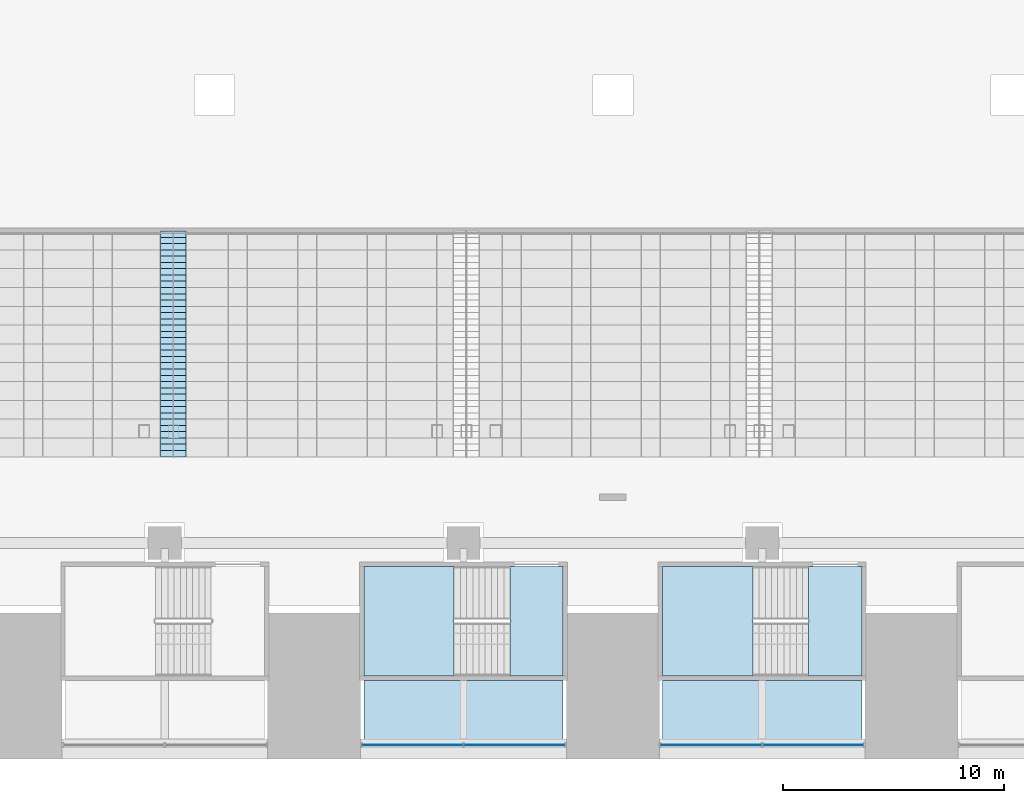
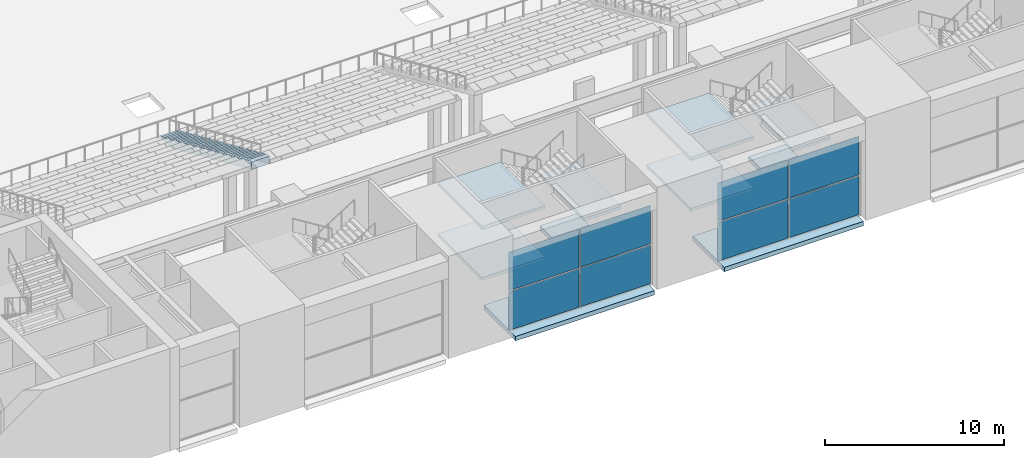
# One storey, part 15 of 62: 11 slabs, 8 plates, 4 elements without a shape of their own.
"""IFC4 building model written with IfcOpenShell, lengths in metres."""

from ifc_helpers import new_model, si_unit, direction, frame, origin, origin_2d, place, context, subcontext, project, spatial, polyline, rectangle, outline, extrude, material, layer, layer_set, type_object, element, aggregate, save


model = new_model("IFC4")

# Units and contexts
model_context = context("Model", 3, precision=1e-05, world=origin(), true_north=direction((0.0, 1.0)))
body_context = subcontext(model_context, "Body", "Model", "MODEL_VIEW")
ifc_project = project(units=[si_unit("LENGTHUNIT", "METRE"), si_unit("AREAUNIT", "SQUARE_METRE"), si_unit("VOLUMEUNIT", "CUBIC_METRE"), si_unit("PLANEANGLEUNIT", "RADIAN"), si_unit("MASSUNIT", "GRAM", prefix="KILO")], contexts=[model_context])

# Site, building, storey
site_placement = place(None, origin())
site = spatial("IfcSite", under=ifc_project, at=site_placement, CompositionType="ELEMENT")
building_placement = place(site_placement, origin())
building = spatial("IfcBuilding", under=site, at=building_placement, Name="Corbelhall Arena Tower", CompositionType="ELEMENT")
storey_placement = place(building_placement, frame((0.0, 0.0, 12.0)))
storey = spatial("IfcBuildingStorey", under=building, at=storey_placement, Name="L01", CompositionType="ELEMENT", Elevation=12.0)

# Slab
ifc_material_1 = material(Name="Precast concrete C40/50", Category="concrete")
ifc_layer_1 = layer(ifc_material_1, 0.25)
ifc_layer_set_1 = layer_set([ifc_layer_1], Name="AISLE STEPS (BC 1029)")
slab_type_1 = type_object("IfcSlabType", Name="AISLE STEPS (BC 1029)", PredefinedType="FLOOR", material=ifc_layer_set_1)
slab_1_placement = place(storey_placement, frame((-19.860107421875, -15.14990234375, 2.375), z_axis=(0.0, 0.0, 1.0), x_axis=(0.0, -1.0, 0.0)))
element("IfcSlab", 1, at=slab_1_placement, inside=storey, type_object=slab_type_1, Name="Aisle steps LS-AIS4", PredefinedType="FLOOR", context=body_context, shape_type="SweptSolid", body=[
    extrude(outline(polyline([(0.0, 0.0), (0.0, 0.125), (0.283447265625, 0.125), (0.283447265625, 0.25), (0.566650390625, 0.25), (0.566650390625, 0.375), (0.85009765625, 0.375), (0.85009765625, 0.5), (1.13330078125, 0.5), (1.13330078125, 0.625), (1.416748046875, 0.625), (1.416748046875, 0.75), (1.699951171875, 0.75), (1.699951171875, 0.875), (1.9833984375, 0.875), (1.9833984375, 1.0), (2.2666015625, 1.0), (2.2666015625, 1.125), (2.550048828125, 1.125), (2.550048828125, 1.25), (2.833251953125, 1.25), (2.833251953125, 1.375), (3.11669921875, 1.375), (3.11669921875, 1.5), (3.39990234375, 1.5), (3.39990234375, 1.625), (3.683349609375, 1.625), (3.683349609375, 1.75), (3.966552734375, 1.75), (3.966552734375, 1.875), (4.25, 1.875), (4.25, 2.0), (4.533447265625, 2.0), (4.533447265625, 2.125), (4.816650390625, 2.125), (4.816650390625, 2.25), (5.10009765625, 2.25), (5.10009765625, 2.375), (5.38330078125, 2.375), (5.38330078125, 2.5), (5.666748046875, 2.5), (5.666748046875, 2.625), (5.949951171875, 2.625), (5.949951171875, 2.75), (6.2333984375, 2.75), (6.2333984375, 2.875), (6.5166015625, 2.875), (6.5166015625, 3.0), (6.800048828125, 3.0), (6.800048828125, 3.125), (7.083251953125, 3.125), (7.083251953125, 3.25), (7.36669921875, 3.25), (7.36669921875, 3.375), (7.64990234375, 3.375), (7.64990234375, 3.5), (7.933349609375, 3.5), (7.933349609375, 3.625), (8.216552734375, 3.625), (8.216552734375, 3.75), (8.5, 3.75), (8.5, 3.875), (8.783203125, 3.875), (8.783203125, 4.0), (9.066650390625, 4.0), (9.066650390625, 4.125), (9.35009765625, 4.125), (9.35009765625, 4.25), (9.63330078125, 4.25), (9.63330078125, 4.375), (9.916748046875, 4.375), (9.916748046875, 4.5), (10.199951171875, 4.5), (10.199951171875, 4.625), (10.199951171875, 3.976806640625), (1.18603515625, 0.0), (0.0, 0.0)])), frame((0.0, 0.580078125, 0.0), z_axis=(0.0, -1.0, 0.0), x_axis=(1.0, 0.0, 0.0)), (0.0, 0.0, 1.0), 1.159912109375),
])

# Stair, slabs
ifc_material_2 = material(Name="Reinforced concrete C40/50", Category="concrete")
stair_type = type_object("IfcStairType", Name="AR-EXIT-STAIR", PredefinedType="HALF_TURN_STAIR", material=ifc_material_2)
stair_1_placement = place(storey_placement, origin())
stair_1 = element("IfcStair", 2, at=stair_1_placement, inside=storey, type_object=stair_type, Name="L01 exit stair AS14", PredefinedType="HALF_TURN_STAIR")
ifc_layer_2 = layer(ifc_material_2, 0.199951171875)
ifc_layer_set_2 = layer_set([ifc_layer_2], Name="AR-EXIT-LANDING")
slab_type_2 = type_object("IfcSlabType", Name="AR-EXIT-LANDING", PredefinedType="LANDING", material=ifc_layer_set_2)
slab_2_placement = place(storey_placement, frame((0.0, 0.0, 1.550048828125)))
slab_2 = element("IfcSlab", 3, at=slab_2_placement, type_object=slab_type_2, Name="AS14 landing 1", PredefinedType="LANDING", context=body_context, shape_type="SweptSolid", body=[
    extrude(outline(polyline([(-7.169921875, -30.300048828125), (-11.25, -30.300048828125), (-11.25, -35.25), (-7.169921875, -35.25), (-7.169921875, -30.300048828125)])), origin(), (0.0, 0.0, 1.0), 0.199951171875),
])
slab_3_placement = place(storey_placement, frame((0.0, 0.0, 3.300048828125)))
slab_3 = element("IfcSlab", 4, at=slab_3_placement, type_object=slab_type_2, Name="AS14 landing 2", PredefinedType="LANDING", context=body_context, shape_type="SweptSolid", body=[
    extrude(outline(polyline([(-2.25, -30.300048828125), (-4.64990234375, -30.300048828125), (-4.64990234375, -35.25), (-2.25, -35.25), (-2.25, -30.300048828125)])), origin(), (0.0, 0.0, 1.0), 0.199951171875),
])
slab_4_placement = place(storey_placement, frame((0.0, 0.0, 5.050048828125)))
slab_4 = element("IfcSlab", 5, at=slab_4_placement, type_object=slab_type_2, Name="AS14 landing 3", PredefinedType="LANDING", context=body_context, shape_type="SweptSolid", body=[
    extrude(outline(polyline([(-7.169921875, -30.300048828125), (-11.25, -30.300048828125), (-11.25, -35.25), (-7.169921875, -35.25), (-7.169921875, -30.300048828125)])), origin(), (0.0, 0.0, 1.0), 0.199951171875),
])
aggregate(stair_1, [slab_2, slab_3, slab_4])

stair_2_placement = place(storey_placement, origin())
stair_2 = element("IfcStair", 6, at=stair_2_placement, inside=storey, type_object=stair_type, Name="L01 exit stair AS15", PredefinedType="HALF_TURN_STAIR")
slab_5_placement = place(storey_placement, frame((0.0, 0.0, 1.550048828125)))
slab_5 = element("IfcSlab", 7, at=slab_5_placement, type_object=slab_type_2, Name="AS15 landing 1", PredefinedType="LANDING", context=body_context, shape_type="SweptSolid", body=[
    extrude(outline(polyline([(6.330078125, -30.300048828125), (2.25, -30.300048828125), (2.25, -35.25), (6.330078125, -35.25), (6.330078125, -30.300048828125)])), origin(), (0.0, 0.0, 1.0), 0.199951171875),
])
slab_6_placement = place(storey_placement, frame((0.0, 0.0, 3.300048828125)))
slab_6 = element("IfcSlab", 8, at=slab_6_placement, type_object=slab_type_2, Name="AS15 landing 2", PredefinedType="LANDING", context=body_context, shape_type="SweptSolid", body=[
    extrude(outline(polyline([(11.25, -30.300048828125), (8.85009765625, -30.300048828125), (8.85009765625, -35.25), (11.25, -35.25), (11.25, -30.300048828125)])), origin(), (0.0, 0.0, 1.0), 0.199951171875),
])
slab_7_placement = place(storey_placement, frame((0.0, 0.0, 5.050048828125)))
slab_7 = element("IfcSlab", 9, at=slab_7_placement, type_object=slab_type_2, Name="AS15 landing 3", PredefinedType="LANDING", context=body_context, shape_type="SweptSolid", body=[
    extrude(outline(polyline([(6.330078125, -30.300048828125), (2.25, -30.300048828125), (2.25, -35.25), (6.330078125, -35.25), (6.330078125, -30.300048828125)])), origin(), (0.0, 0.0, 1.0), 0.199951171875),
])
aggregate(stair_2, [slab_5, slab_6, slab_7])

# Slabs
ifc_layer_3 = layer(ifc_material_2, 0.300048828125)
ifc_layer_set_3 = layer_set([ifc_layer_3], Name="AR-STAIR-FLOOR")
slab_type_3 = type_object("IfcSlabType", Name="AR-STAIR-FLOOR", PredefinedType="FLOOR", material=ifc_layer_set_3)
slab_8_placement = place(storey_placement, frame((0.0, 0.0, -0.300048828125)))
element("IfcSlab", 10, at=slab_8_placement, inside=storey, type_object=slab_type_3, Name="Stair AS14 floor", PredefinedType="FLOOR", context=body_context, shape_type="SweptSolid", body=[
    extrude(outline(polyline([(-2.25, -30.300048828125), (-2.25, -35.25), (-4.653076171875, -35.25), (-4.653076171875, -30.300048828125), (-2.25, -30.300048828125)])), origin(), (0.0, 0.0, 1.0), 0.300048828125),
])
slab_9_placement = place(storey_placement, frame((0.0, 0.0, -0.300048828125)))
element("IfcSlab", 11, at=slab_9_placement, inside=storey, type_object=slab_type_3, Name="Stair AS15 floor", PredefinedType="FLOOR", context=body_context, shape_type="SweptSolid", body=[
    extrude(outline(polyline([(11.25, -30.300048828125), (11.25, -35.25), (8.846923828125, -35.25), (8.846923828125, -30.300048828125), (11.25, -30.300048828125)])), origin(), (0.0, 0.0, 1.0), 0.300048828125),
])

# Curtain wall, plates
ifc_material_3 = material(Name="Aluminium black anodised", Category="aluminium")
ifc_layer_4 = layer(ifc_material_3, 0.239990234375)
ifc_layer_set_4 = layer_set([ifc_layer_4], Name="EV-CW4 Arena concourse glazing")
curtain_wall_type = type_object("IfcCurtainWallType", Name="EV-CW4 Arena concourse glazing", PredefinedType="NOTDEFINED", material=ifc_layer_set_4)
curtain_wall_1_placement = place(storey_placement, origin())
curtain_wall_1 = element("IfcCurtainWall", 12, at=curtain_wall_1_placement, inside=storey, type_object=curtain_wall_type, Name="Curtain wall CW4", PredefinedType="NOTDEFINED")
ifc_material_4 = material(Name="Glass dark tinted laminated", Category="glass")
ifc_layer_5 = layer(ifc_material_4, 0.028076171875)
ifc_layer_set_5 = layer_set([ifc_layer_5], Name="EV-CW4-PANEL")
plate_type = type_object("IfcPlateType", Name="EV-CW4-PANEL", PredefinedType="CURTAIN_PANEL", material=ifc_layer_set_5)
plate_1_placement = place(storey_placement, frame((-9.05615234375, -38.3798828125, 0.0751953125), z_axis=(0.0, 0.0, 1.0), x_axis=(1.0, 0.0, 0.0)))
plate_1 = element("IfcPlate", 13, at=plate_1_placement, type_object=plate_type, Name="CW4 panel 1.1", PredefinedType="CURTAIN_PANEL", context=body_context, shape_type="SweptSolid", body=[
    extrude(rectangle(XDim=4.53759765625, YDim=0.028076171875, at=origin_2d()), origin(), (0.0, 0.0, 1.0), 2.637451171875),
])
plate_2_placement = place(storey_placement, frame((-9.05615234375, -38.3798828125, 2.78759765625), z_axis=(0.0, 0.0, 1.0), x_axis=(1.0, 0.0, 0.0)))
plate_2 = element("IfcPlate", 14, at=plate_2_placement, type_object=plate_type, Name="CW4 panel 1.2", PredefinedType="CURTAIN_PANEL", context=body_context, shape_type="SweptSolid", body=[
    extrude(rectangle(XDim=4.53759765625, YDim=0.028076171875, at=origin_2d()), origin(), (0.0, 0.0, 1.0), 2.637451171875),
])
plate_3_placement = place(storey_placement, frame((-4.44384765625, -38.3798828125, 0.0751953125), z_axis=(0.0, 0.0, 1.0), x_axis=(1.0, 0.0, 0.0)))
plate_3 = element("IfcPlate", 15, at=plate_3_placement, type_object=plate_type, Name="CW4 panel 2.1", PredefinedType="CURTAIN_PANEL", context=body_context, shape_type="SweptSolid", body=[
    extrude(rectangle(XDim=4.53759765625, YDim=0.028076171875, at=origin_2d()), origin(), (0.0, 0.0, 1.0), 2.637451171875),
])
plate_4_placement = place(storey_placement, frame((-4.44384765625, -38.3798828125, 2.78759765625), z_axis=(0.0, 0.0, 1.0), x_axis=(1.0, 0.0, 0.0)))
plate_4 = element("IfcPlate", 16, at=plate_4_placement, type_object=plate_type, Name="CW4 panel 2.2", PredefinedType="CURTAIN_PANEL", context=body_context, shape_type="SweptSolid", body=[
    extrude(rectangle(XDim=4.53759765625, YDim=0.028076171875, at=origin_2d()), origin(), (0.0, 0.0, 1.0), 2.637451171875),
])
aggregate(curtain_wall_1, [plate_1, plate_2, plate_3, plate_4])

curtain_wall_2_placement = place(storey_placement, origin())
curtain_wall_2 = element("IfcCurtainWall", 17, at=curtain_wall_2_placement, inside=storey, type_object=curtain_wall_type, Name="Curtain wall CW4", PredefinedType="NOTDEFINED")
plate_5_placement = place(storey_placement, frame((4.44384765625, -38.3798828125, 0.0751953125), z_axis=(0.0, 0.0, 1.0), x_axis=(1.0, 0.0, 0.0)))
plate_5 = element("IfcPlate", 18, at=plate_5_placement, type_object=plate_type, Name="CW4 panel 1.1", PredefinedType="CURTAIN_PANEL", context=body_context, shape_type="SweptSolid", body=[
    extrude(rectangle(XDim=4.53759765625, YDim=0.028076171875, at=origin_2d()), origin(), (0.0, 0.0, 1.0), 2.637451171875),
])
plate_6_placement = place(storey_placement, frame((4.44384765625, -38.3798828125, 2.78759765625), z_axis=(0.0, 0.0, 1.0), x_axis=(1.0, 0.0, 0.0)))
plate_6 = element("IfcPlate", 19, at=plate_6_placement, type_object=plate_type, Name="CW4 panel 1.2", PredefinedType="CURTAIN_PANEL", context=body_context, shape_type="SweptSolid", body=[
    extrude(rectangle(XDim=4.53759765625, YDim=0.028076171875, at=origin_2d()), origin(), (0.0, 0.0, 1.0), 2.637451171875),
])
plate_7_placement = place(storey_placement, frame((9.05615234375, -38.3798828125, 0.0751953125), z_axis=(0.0, 0.0, 1.0), x_axis=(1.0, 0.0, 0.0)))
plate_7 = element("IfcPlate", 20, at=plate_7_placement, type_object=plate_type, Name="CW4 panel 2.1", PredefinedType="CURTAIN_PANEL", context=body_context, shape_type="SweptSolid", body=[
    extrude(rectangle(XDim=4.53759765625, YDim=0.028076171875, at=origin_2d()), origin(), (0.0, 0.0, 1.0), 2.637451171875),
])
plate_8_placement = place(storey_placement, frame((9.05615234375, -38.3798828125, 2.78759765625), z_axis=(0.0, 0.0, 1.0), x_axis=(1.0, 0.0, 0.0)))
plate_8 = element("IfcPlate", 21, at=plate_8_placement, type_object=plate_type, Name="CW4 panel 2.2", PredefinedType="CURTAIN_PANEL", context=body_context, shape_type="SweptSolid", body=[
    extrude(rectangle(XDim=4.53759765625, YDim=0.028076171875, at=origin_2d()), origin(), (0.0, 0.0, 1.0), 2.637451171875),
])
aggregate(curtain_wall_2, [plate_5, plate_6, plate_7, plate_8])

# Slabs
ifc_material_5 = material(Name="Concrete C32/40", Category="concrete")
ifc_layer_6 = layer(ifc_material_5, 0.300048828125)
ifc_layer_set_6 = layer_set([ifc_layer_6], Name="PO-FLOOR-SLAB")
slab_type_4 = type_object("IfcSlabType", Name="PO-FLOOR-SLAB", PredefinedType="FLOOR", material=ifc_layer_set_6)
slab_10_placement = place(storey_placement, frame((0.0, 0.0, -0.300048828125)))
element("IfcSlab", 22, at=slab_10_placement, inside=storey, type_object=slab_type_4, Name="FLOOR SLAB L01 3", PredefinedType="FLOOR", context=body_context, shape_type="SweptSolid", body=[
    extrude(outline(polyline([(-11.25, -39.0), (-11.25, -35.449951171875), (-2.25, -35.449951171875), (-2.25, -39.0), (-11.25, -39.0)])), origin(), (0.0, 0.0, 1.0), 0.300048828125),
])
slab_11_placement = place(storey_placement, frame((0.0, 0.0, -0.300048828125)))
element("IfcSlab", 23, at=slab_11_placement, inside=storey, type_object=slab_type_4, Name="FLOOR SLAB L01 6", PredefinedType="FLOOR", context=body_context, shape_type="SweptSolid", body=[
    extrude(outline(polyline([(2.25, -39.0), (2.25, -35.449951171875), (11.25, -35.449951171875), (11.25, -39.0), (2.25, -39.0)])), origin(), (0.0, 0.0, 1.0), 0.300048828125),
])

save(model, "model.ifc")
